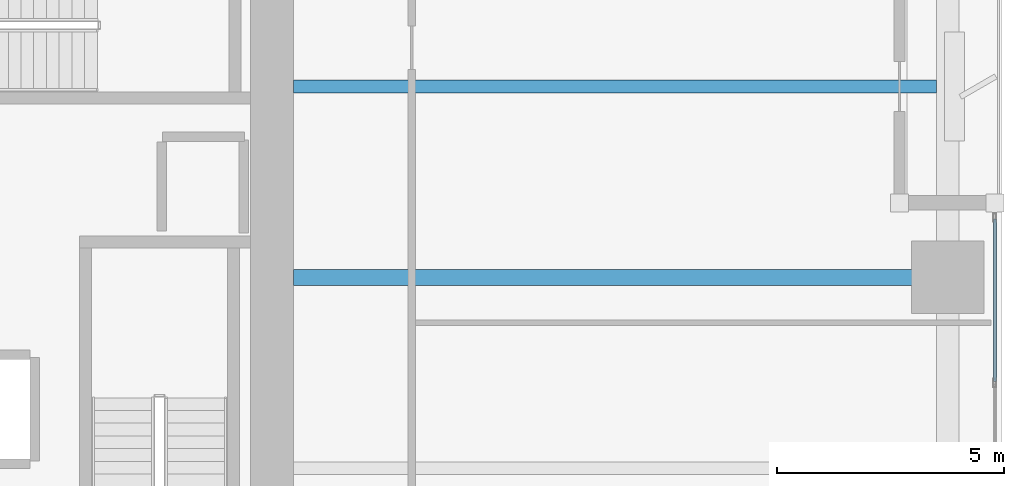
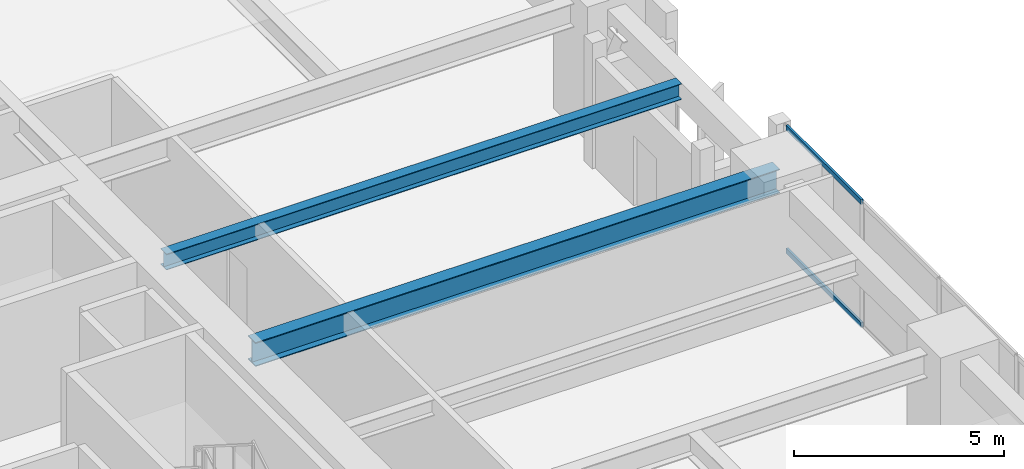
# One storey, part 9 of 29: 2 beams, 2 members, 1 element without a shape of its own.
"""IFC4 building model written with IfcOpenShell, lengths in metres."""

from ifc_helpers import new_model, si_unit, direction, frame, origin, origin_2d, place, context, subcontext, project, spatial, hollow_rectangle, i_section, extrude, material, layer, layer_set, material_profile, profile_set, type_object, element, aggregate, save


model = new_model("IFC4")

# Units and contexts
model_context = context("Model", 3, precision=1e-05, world=origin(), true_north=direction((0.0, 1.0)))
body_context = subcontext(model_context, "Body", "Model", "MODEL_VIEW")
ifc_project = project(units=[si_unit("LENGTHUNIT", "METRE"), si_unit("AREAUNIT", "SQUARE_METRE"), si_unit("VOLUMEUNIT", "CUBIC_METRE"), si_unit("PLANEANGLEUNIT", "RADIAN"), si_unit("MASSUNIT", "GRAM", prefix="KILO")], contexts=[model_context])

# Site, building, storey
site_placement = place(None, origin())
site = spatial("IfcSite", under=ifc_project, at=site_placement, CompositionType="ELEMENT")
building_placement = place(site_placement, origin())
building = spatial("IfcBuilding", under=site, at=building_placement, Name="Kiyonajd Concourse Tower", CompositionType="ELEMENT")
storey_placement = place(building_placement, frame((0.0, 0.0, 52.800048828125)))
storey = spatial("IfcBuildingStorey", under=building, at=storey_placement, Name="L14", CompositionType="ELEMENT", Elevation=52.800048828125)

# Beams
ifc_material_1 = material(Name="Steel ASTM A992 Grade 50", Category="steel")
ifc_material_profile_1 = material_profile(ifc_material_1, i_section(OverallWidth=0.280029296875, OverallDepth=0.462890625, WebThickness=0.0107421875, FlangeThickness=0.017333984375, at=origin_2d()), Name="W460X113")
ifc_profile_set_1 = profile_set([ifc_material_profile_1], Name="Steel ASTM A992 Grade 50")
beam_type_1 = type_object("IfcBeamType", Name="BM-JST-460A", PredefinedType="JOIST", material=ifc_profile_set_1)
beam_1_placement = place(storey_placement, frame((63.60009765625, 40.199951171875, 3.408447265625), z_axis=(1.0, 0.0, 0.0), x_axis=(0.0, 1.0, 0.0)))
element("IfcBeam", 1, at=beam_1_placement, inside=storey, type_object=beam_type_1, Name="L14 East Secondary Floor Joist", PredefinedType="JOIST", context=body_context, shape_type="SweptSolid", body=[
    extrude(i_section(OverallWidth=0.280029296875, OverallDepth=0.462890625, WebThickness=0.0107421875, FlangeThickness=0.017333984375, at=origin_2d()), origin(), (0.0, 0.0, 1.0), 14.14990234375),
])
ifc_material_profile_2 = material_profile(ifc_material_1, i_section(OverallWidth=0.35498046875, OverallDepth=0.695068359375, WebThickness=0.015380859375, FlangeThickness=0.02490234375, at=origin_2d()), Name="W690X217")
ifc_profile_set_2 = profile_set([ifc_material_profile_2], Name="Steel ASTM A992 Grade 50")
beam_type_2 = type_object("IfcBeamType", Name="BM-TWR-690", PredefinedType="BEAM", material=ifc_profile_set_2)
beam_2_placement = place(storey_placement, frame((63.60009765625, 36.0, 3.29248046875), z_axis=(1.0, 0.0, 0.0), x_axis=(0.0, 1.0, 0.0)))
element("IfcBeam", 2, at=beam_2_placement, inside=storey, type_object=beam_type_2, Name="L14 East Lease Girder", PredefinedType="BEAM", context=body_context, shape_type="SweptSolid", body=[
    extrude(i_section(OverallWidth=0.35498046875, OverallDepth=0.695068359375, WebThickness=0.015380859375, FlangeThickness=0.02490234375, at=origin_2d()), origin(), (0.0, 0.0, 1.0), 14.39990234375),
])

# Curtain wall, members
ifc_material_2 = material(Name="Thermally Broken Anodised Aluminium", Category="aluminium")
ifc_layer = layer(ifc_material_2, 0.179931640625)
ifc_layer_set = layer_set([ifc_layer], Name="Thermally Broken Anodised Aluminium")
curtain_wall_type = type_object("IfcCurtainWallType", Name="CW-SYS-02", PredefinedType="NOTDEFINED", material=ifc_layer_set)
curtain_wall_placement = place(storey_placement, origin())
curtain_wall = element("IfcCurtainWall", 3, at=curtain_wall_placement, inside=storey, type_object=curtain_wall_type, Name="L14 Unitised Curtain Wall CW2", PredefinedType="NOTDEFINED")
ifc_material_profile_3 = material_profile(ifc_material_2, hollow_rectangle(XDim=0.06494140625, YDim=0.139892578125, WallThickness=0.00390625, at=origin_2d()), Name="TRAN-65x140")
ifc_profile_set_3 = profile_set([ifc_material_profile_3], Name="Thermally Broken Anodised Aluminium")
member_type = type_object("IfcMemberType", Name="MB-CW-TRAN1", PredefinedType="USERDEFINED", material=ifc_profile_set_3)
member_1_placement = place(storey_placement, frame((79.0400390625, 37.284912109375, 0.032470703125), z_axis=(0.0, -1.0, 0.0), x_axis=(1.0, 0.0, 0.0)))
member_1 = element("IfcMember", 4, at=member_1_placement, type_object=member_type, Name="CW2 transom 1.1", ObjectType="TRANSOM", PredefinedType="USERDEFINED", context=body_context, shape_type="SweptSolid", body=[
    extrude(hollow_rectangle(XDim=0.06494140625, YDim=0.139892578125, WallThickness=0.00390625, at=origin_2d()), origin(), (0.0, 0.0, 1.0), 3.57568359375),
])
member_2_placement = place(storey_placement, frame((79.0400390625, 37.284912109375, 3.607421875), z_axis=(0.0, -1.0, 0.0), x_axis=(1.0, 0.0, 0.0)))
member_2 = element("IfcMember", 5, at=member_2_placement, type_object=member_type, Name="CW2 transom 1.2", ObjectType="TRANSOM", PredefinedType="USERDEFINED", context=body_context, shape_type="SweptSolid", body=[
    extrude(hollow_rectangle(XDim=0.06494140625, YDim=0.139892578125, WallThickness=0.00390625, at=origin_2d()), origin(), (0.0, 0.0, 1.0), 3.57568359375),
])
aggregate(curtain_wall, [member_1, member_2])

save(model, "model.ifc")
